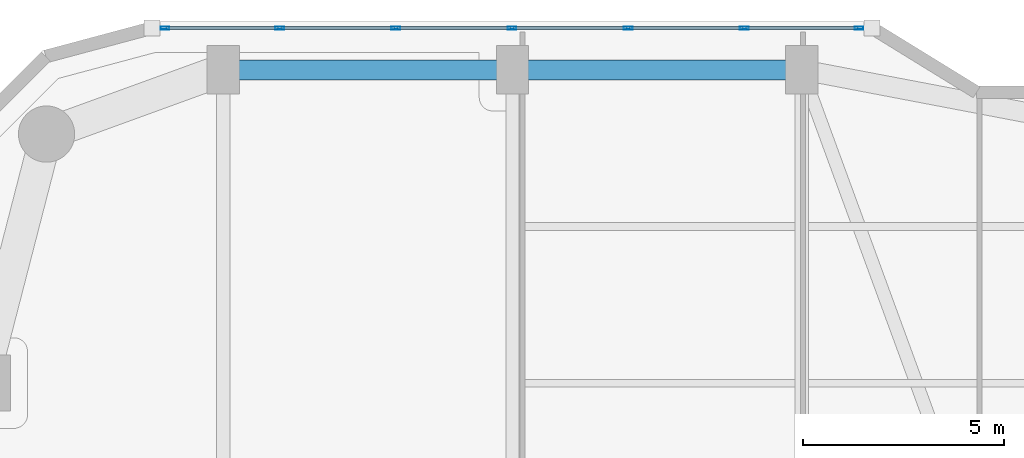
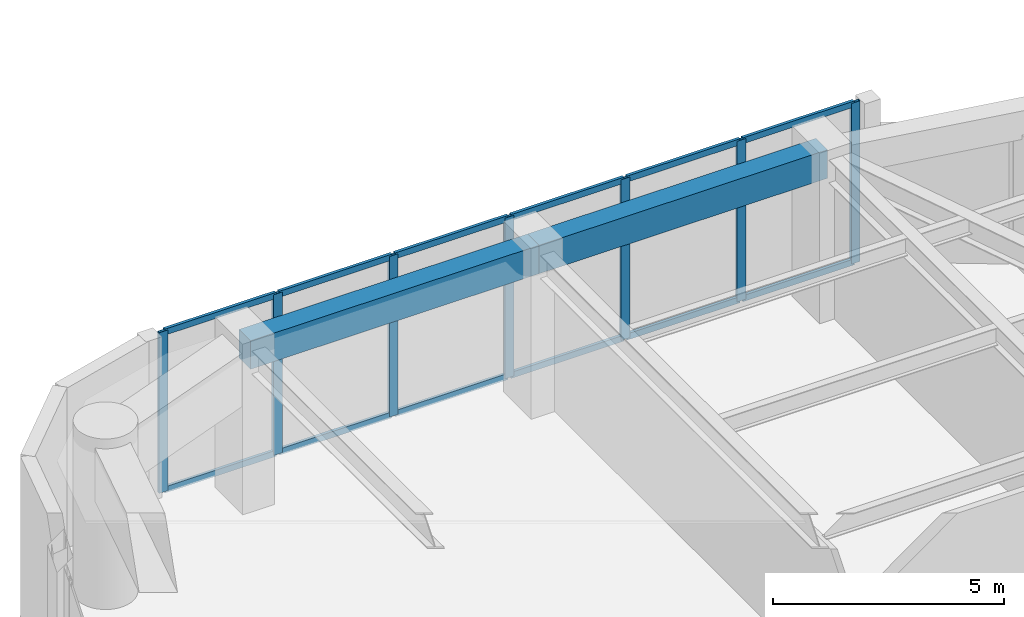
# One storey, part 10 of 23: 19 members, 2 beams, 1 element without a shape of its own.
"""IFC4 building model written with IfcOpenShell, lengths in metres."""

from ifc_helpers import new_model, si_unit, direction, frame, origin, origin_2d, place, context, subcontext, project, spatial, rectangle, hollow_rectangle, extrude, material, layer, layer_set, material_profile, profile_set, type_object, element, aggregate, save


model = new_model("IFC4")

# Units and contexts
model_context = context("Model", 3, precision=1e-05, world=origin(), true_north=direction((0.0, 1.0)))
body_context = subcontext(model_context, "Body", "Model", "MODEL_VIEW")
ifc_project = project(units=[si_unit("LENGTHUNIT", "METRE"), si_unit("AREAUNIT", "SQUARE_METRE"), si_unit("VOLUMEUNIT", "CUBIC_METRE"), si_unit("PLANEANGLEUNIT", "RADIAN"), si_unit("MASSUNIT", "GRAM", prefix="KILO")], contexts=[model_context])

# Site, building, storey
site_placement = place(None, origin())
site = spatial("IfcSite", under=ifc_project, at=site_placement, CompositionType="ELEMENT")
building_placement = place(site_placement, origin())
building = spatial("IfcBuilding", under=site, at=building_placement, Name="Kiyonajd Concourse Tower", CompositionType="ELEMENT")
storey_placement = place(building_placement, frame((0.0, 0.0, 120.89990234375)))
storey = spatial("IfcBuildingStorey", under=building, at=storey_placement, Name="L31", CompositionType="ELEMENT", Elevation=120.89990234375)

# Beams
ifc_material_1 = material(Name="Precast concrete C50/60", Category="concrete")
ifc_material_profile_1 = material_profile(ifc_material_1, rectangle(XDim=0.5, YDim=0.75, at=origin_2d()), Name="RCBM-500x750")
ifc_profile_set_1 = profile_set([ifc_material_profile_1], Name="Precast concrete C50/60")
beam_type = type_object("IfcBeamType", Name="BM-SPAN-RC", PredefinedType="SPANDREL", material=ifc_profile_set_1)
beam_1_placement = place(storey_placement, frame((39.60009765625, 61.199951171875, 3.864990234375), z_axis=(-1.0, 0.0, 0.0), x_axis=(0.0, -1.0, 0.0)))
element("IfcBeam", 1, at=beam_1_placement, inside=storey, type_object=beam_type, Name="L31 Perimeter Bundled Tube Spandrel", PredefinedType="SPANDREL", context=body_context, shape_type="SweptSolid", body=[
    extrude(rectangle(XDim=0.5, YDim=0.75, at=origin_2d()), origin(), (0.0, 0.0, 1.0), 7.2001953125),
])
beam_2_placement = place(storey_placement, frame((32.39990234375, 61.199951171875, 3.864990234375), z_axis=(-1.0, 0.0, 0.0), x_axis=(0.0, -1.0, 0.0)))
element("IfcBeam", 2, at=beam_2_placement, inside=storey, type_object=beam_type, Name="L31 Perimeter Bundled Tube Spandrel", PredefinedType="SPANDREL", context=body_context, shape_type="SweptSolid", body=[
    extrude(rectangle(XDim=0.5, YDim=0.75, at=origin_2d()), origin(), (0.0, 0.0, 1.0), 7.199951171875),
])

# Curtain wall, members
ifc_material_2 = material(Name="Thermally Broken Anodised Aluminium", Category="aluminium")
ifc_layer = layer(ifc_material_2, 0.179931640625)
ifc_layer_set = layer_set([ifc_layer], Name="Thermally Broken Anodised Aluminium")
curtain_wall_type = type_object("IfcCurtainWallType", Name="CW-SYS-05", PredefinedType="NOTDEFINED", material=ifc_layer_set)
curtain_wall_placement = place(storey_placement, origin())
curtain_wall = element("IfcCurtainWall", 3, at=curtain_wall_placement, inside=storey, type_object=curtain_wall_type, Name="L31 Unitised Curtain Wall CW5", PredefinedType="NOTDEFINED")
ifc_material_profile_2 = material_profile(ifc_material_2, hollow_rectangle(XDim=0.074951171875, YDim=0.219970703125, WallThickness=0.0048828125, at=origin_2d()), Name="MULL-75x220")
ifc_profile_set_2 = profile_set([ifc_material_profile_2], Name="Thermally Broken Anodised Aluminium")
member_type_1 = type_object("IfcMemberType", Name="MB-CW-MULL2", PredefinedType="MULLION", material=ifc_profile_set_2)
member_1_placement = place(storey_placement, frame((23.74853515625, 62.239990234375, 0.0), z_axis=(0.0, 0.0, 1.0), x_axis=(0.0, 1.0, 0.0)))
member_1 = element("IfcMember", 4, at=member_1_placement, type_object=member_type_1, Name="CW5 mullion 1", PredefinedType="MULLION", context=body_context, shape_type="SweptSolid", body=[
    extrude(hollow_rectangle(XDim=0.074951171875, YDim=0.219970703125, WallThickness=0.0048828125, at=origin_2d()), origin(), (0.0, 0.0, 1.0), 4.239990234375),
])
member_2_placement = place(storey_placement, frame((26.603271484375, 62.239990234375, 0.0), z_axis=(0.0, 0.0, 1.0), x_axis=(0.0, 1.0, 0.0)))
member_2 = element("IfcMember", 5, at=member_2_placement, type_object=member_type_1, Name="CW5 mullion 2", PredefinedType="MULLION", context=body_context, shape_type="SweptSolid", body=[
    extrude(hollow_rectangle(XDim=0.074951171875, YDim=0.219970703125, WallThickness=0.0048828125, at=origin_2d()), origin(), (0.0, 0.0, 1.0), 4.239990234375),
])
member_3_placement = place(storey_placement, frame((29.49560546875, 62.239990234375, 0.0), z_axis=(0.0, 0.0, 1.0), x_axis=(0.0, 1.0, 0.0)))
member_3 = element("IfcMember", 6, at=member_3_placement, type_object=member_type_1, Name="CW5 mullion 3", PredefinedType="MULLION", context=body_context, shape_type="SweptSolid", body=[
    extrude(hollow_rectangle(XDim=0.074951171875, YDim=0.219970703125, WallThickness=0.0048828125, at=origin_2d()), origin(), (0.0, 0.0, 1.0), 4.239990234375),
])
member_4_placement = place(storey_placement, frame((32.387939453125, 62.239990234375, 0.0), z_axis=(0.0, 0.0, 1.0), x_axis=(0.0, 1.0, 0.0)))
member_4 = element("IfcMember", 7, at=member_4_placement, type_object=member_type_1, Name="CW5 mullion 4", PredefinedType="MULLION", context=body_context, shape_type="SweptSolid", body=[
    extrude(hollow_rectangle(XDim=0.074951171875, YDim=0.219970703125, WallThickness=0.0048828125, at=origin_2d()), origin(), (0.0, 0.0, 1.0), 4.239990234375),
])
member_5_placement = place(storey_placement, frame((35.2802734375, 62.239990234375, 0.0), z_axis=(0.0, 0.0, 1.0), x_axis=(0.0, 1.0, 0.0)))
member_5 = element("IfcMember", 8, at=member_5_placement, type_object=member_type_1, Name="CW5 mullion 5", PredefinedType="MULLION", context=body_context, shape_type="SweptSolid", body=[
    extrude(hollow_rectangle(XDim=0.074951171875, YDim=0.219970703125, WallThickness=0.0048828125, at=origin_2d()), origin(), (0.0, 0.0, 1.0), 4.239990234375),
])
member_6_placement = place(storey_placement, frame((38.17236328125, 62.239990234375, 0.0), z_axis=(0.0, 0.0, 1.0), x_axis=(0.0, 1.0, 0.0)))
member_6 = element("IfcMember", 9, at=member_6_placement, type_object=member_type_1, Name="CW5 mullion 6", PredefinedType="MULLION", context=body_context, shape_type="SweptSolid", body=[
    extrude(hollow_rectangle(XDim=0.074951171875, YDim=0.219970703125, WallThickness=0.0048828125, at=origin_2d()), origin(), (0.0, 0.0, 1.0), 4.239990234375),
])
member_7_placement = place(storey_placement, frame((41.027099609375, 62.239990234375, 0.0), z_axis=(0.0, 0.0, 1.0), x_axis=(0.0, 1.0, 0.0)))
member_7 = element("IfcMember", 10, at=member_7_placement, type_object=member_type_1, Name="CW5 mullion 7", PredefinedType="MULLION", context=body_context, shape_type="SweptSolid", body=[
    extrude(hollow_rectangle(XDim=0.074951171875, YDim=0.219970703125, WallThickness=0.0048828125, at=origin_2d()), origin(), (0.0, 0.0, 1.0), 4.239990234375),
])
ifc_material_profile_3 = material_profile(ifc_material_2, hollow_rectangle(XDim=0.074951171875, YDim=0.159912109375, WallThickness=0.0048828125, at=origin_2d()), Name="TRAN-75x160")
ifc_profile_set_3 = profile_set([ifc_material_profile_3], Name="Thermally Broken Anodised Aluminium")
member_type_2 = type_object("IfcMemberType", Name="MB-CW-TRAN2", PredefinedType="USERDEFINED", material=ifc_profile_set_3)
member_8_placement = place(storey_placement, frame((23.7861328125, 62.239990234375, 0.03759765625), z_axis=(1.0, 0.0, 0.0), x_axis=(0.0, 1.0, 0.0)))
member_8 = element("IfcMember", 11, at=member_8_placement, type_object=member_type_2, Name="CW5 transom 1.1", ObjectType="TRANSOM", PredefinedType="USERDEFINED", context=body_context, shape_type="SweptSolid", body=[
    extrude(hollow_rectangle(XDim=0.074951171875, YDim=0.159912109375, WallThickness=0.0048828125, at=origin_2d()), origin(), (0.0, 0.0, 1.0), 2.77978515625),
])
member_9_placement = place(storey_placement, frame((23.7861328125, 62.239990234375, 4.20263671875), z_axis=(1.0, 0.0, 0.0), x_axis=(0.0, 1.0, 0.0)))
member_9 = element("IfcMember", 12, at=member_9_placement, type_object=member_type_2, Name="CW5 transom 1.2", ObjectType="TRANSOM", PredefinedType="USERDEFINED", context=body_context, shape_type="SweptSolid", body=[
    extrude(hollow_rectangle(XDim=0.074951171875, YDim=0.159912109375, WallThickness=0.0048828125, at=origin_2d()), origin(), (0.0, 0.0, 1.0), 2.77978515625),
])
member_10_placement = place(storey_placement, frame((26.640869140625, 62.239990234375, 0.03759765625), z_axis=(1.0, 0.0, 0.0), x_axis=(0.0, 1.0, 0.0)))
member_10 = element("IfcMember", 13, at=member_10_placement, type_object=member_type_2, Name="CW5 transom 2.1", ObjectType="TRANSOM", PredefinedType="USERDEFINED", context=body_context, shape_type="SweptSolid", body=[
    extrude(hollow_rectangle(XDim=0.074951171875, YDim=0.159912109375, WallThickness=0.0048828125, at=origin_2d()), origin(), (0.0, 0.0, 1.0), 2.8173828125),
])
member_11_placement = place(storey_placement, frame((26.640869140625, 62.239990234375, 4.20263671875), z_axis=(1.0, 0.0, 0.0), x_axis=(0.0, 1.0, 0.0)))
member_11 = element("IfcMember", 14, at=member_11_placement, type_object=member_type_2, Name="CW5 transom 2.2", ObjectType="TRANSOM", PredefinedType="USERDEFINED", context=body_context, shape_type="SweptSolid", body=[
    extrude(hollow_rectangle(XDim=0.074951171875, YDim=0.159912109375, WallThickness=0.0048828125, at=origin_2d()), origin(), (0.0, 0.0, 1.0), 2.8173828125),
])
member_12_placement = place(storey_placement, frame((29.533203125, 62.239990234375, 0.03759765625), z_axis=(1.0, 0.0, 0.0), x_axis=(0.0, 1.0, 0.0)))
member_12 = element("IfcMember", 15, at=member_12_placement, type_object=member_type_2, Name="CW5 transom 3.1", ObjectType="TRANSOM", PredefinedType="USERDEFINED", context=body_context, shape_type="SweptSolid", body=[
    extrude(hollow_rectangle(XDim=0.074951171875, YDim=0.159912109375, WallThickness=0.0048828125, at=origin_2d()), origin(), (0.0, 0.0, 1.0), 2.817138671875),
])
member_13_placement = place(storey_placement, frame((29.533203125, 62.239990234375, 4.20263671875), z_axis=(1.0, 0.0, 0.0), x_axis=(0.0, 1.0, 0.0)))
member_13 = element("IfcMember", 16, at=member_13_placement, type_object=member_type_2, Name="CW5 transom 3.2", ObjectType="TRANSOM", PredefinedType="USERDEFINED", context=body_context, shape_type="SweptSolid", body=[
    extrude(hollow_rectangle(XDim=0.074951171875, YDim=0.159912109375, WallThickness=0.0048828125, at=origin_2d()), origin(), (0.0, 0.0, 1.0), 2.817138671875),
])
member_14_placement = place(storey_placement, frame((32.42529296875, 62.239990234375, 0.03759765625), z_axis=(1.0, 0.0, 0.0), x_axis=(0.0, 1.0, 0.0)))
member_14 = element("IfcMember", 17, at=member_14_placement, type_object=member_type_2, Name="CW5 transom 4.1", ObjectType="TRANSOM", PredefinedType="USERDEFINED", context=body_context, shape_type="SweptSolid", body=[
    extrude(hollow_rectangle(XDim=0.074951171875, YDim=0.159912109375, WallThickness=0.0048828125, at=origin_2d()), origin(), (0.0, 0.0, 1.0), 2.8173828125),
])
member_15_placement = place(storey_placement, frame((32.42529296875, 62.239990234375, 4.20263671875), z_axis=(1.0, 0.0, 0.0), x_axis=(0.0, 1.0, 0.0)))
member_15 = element("IfcMember", 18, at=member_15_placement, type_object=member_type_2, Name="CW5 transom 4.2", ObjectType="TRANSOM", PredefinedType="USERDEFINED", context=body_context, shape_type="SweptSolid", body=[
    extrude(hollow_rectangle(XDim=0.074951171875, YDim=0.159912109375, WallThickness=0.0048828125, at=origin_2d()), origin(), (0.0, 0.0, 1.0), 2.8173828125),
])
member_16_placement = place(storey_placement, frame((35.317626953125, 62.239990234375, 0.03759765625), z_axis=(1.0, 0.0, 0.0), x_axis=(0.0, 1.0, 0.0)))
member_16 = element("IfcMember", 19, at=member_16_placement, type_object=member_type_2, Name="CW5 transom 5.1", ObjectType="TRANSOM", PredefinedType="USERDEFINED", context=body_context, shape_type="SweptSolid", body=[
    extrude(hollow_rectangle(XDim=0.074951171875, YDim=0.159912109375, WallThickness=0.0048828125, at=origin_2d()), origin(), (0.0, 0.0, 1.0), 2.8173828125),
])
member_17_placement = place(storey_placement, frame((35.317626953125, 62.239990234375, 4.20263671875), z_axis=(1.0, 0.0, 0.0), x_axis=(0.0, 1.0, 0.0)))
member_17 = element("IfcMember", 20, at=member_17_placement, type_object=member_type_2, Name="CW5 transom 5.2", ObjectType="TRANSOM", PredefinedType="USERDEFINED", context=body_context, shape_type="SweptSolid", body=[
    extrude(hollow_rectangle(XDim=0.074951171875, YDim=0.159912109375, WallThickness=0.0048828125, at=origin_2d()), origin(), (0.0, 0.0, 1.0), 2.8173828125),
])
member_18_placement = place(storey_placement, frame((38.2099609375, 62.239990234375, 0.03759765625), z_axis=(1.0, 0.0, 0.0), x_axis=(0.0, 1.0, 0.0)))
member_18 = element("IfcMember", 21, at=member_18_placement, type_object=member_type_2, Name="CW5 transom 6.1", ObjectType="TRANSOM", PredefinedType="USERDEFINED", context=body_context, shape_type="SweptSolid", body=[
    extrude(hollow_rectangle(XDim=0.074951171875, YDim=0.159912109375, WallThickness=0.0048828125, at=origin_2d()), origin(), (0.0, 0.0, 1.0), 2.77978515625),
])
member_19_placement = place(storey_placement, frame((38.2099609375, 62.239990234375, 4.20263671875), z_axis=(1.0, 0.0, 0.0), x_axis=(0.0, 1.0, 0.0)))
member_19 = element("IfcMember", 22, at=member_19_placement, type_object=member_type_2, Name="CW5 transom 6.2", ObjectType="TRANSOM", PredefinedType="USERDEFINED", context=body_context, shape_type="SweptSolid", body=[
    extrude(hollow_rectangle(XDim=0.074951171875, YDim=0.159912109375, WallThickness=0.0048828125, at=origin_2d()), origin(), (0.0, 0.0, 1.0), 2.77978515625),
])
aggregate(curtain_wall, [member_1, member_2, member_3, member_4, member_5, member_6, member_7, member_8, member_9, member_10, member_11, member_12, member_13, member_14, member_15, member_16, member_17, member_18, member_19])

save(model, "model.ifc")
